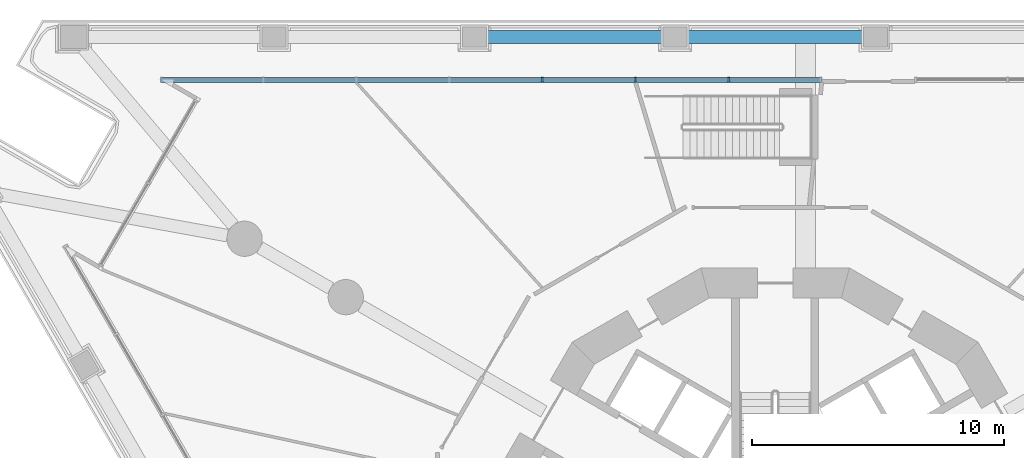
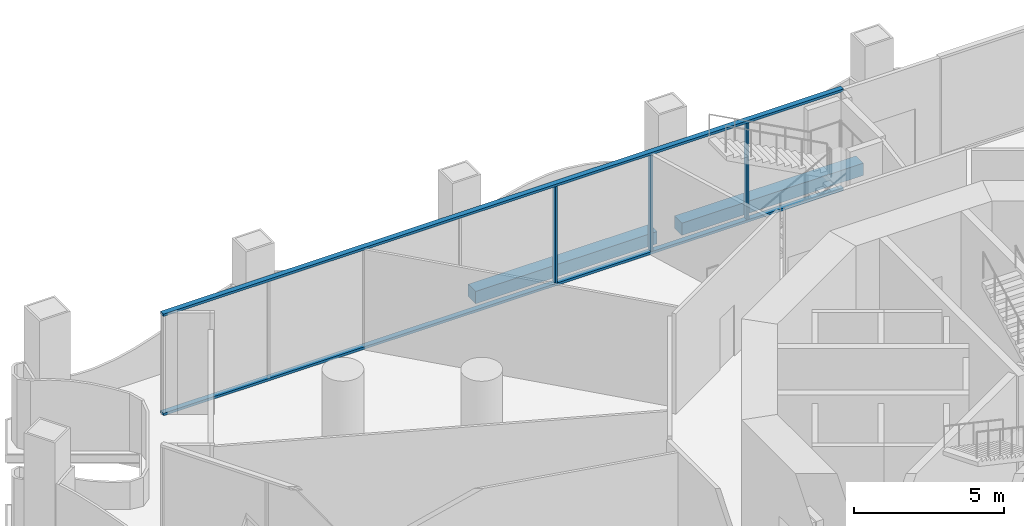
# One storey, part 6 of 21: 5 members, 2 beams, 1 element without a shape of its own.
"""IFC4 building model written with IfcOpenShell, lengths in metres."""

from ifc_helpers import new_model, si_unit, direction, frame, origin, origin_2d, place, context, subcontext, project, spatial, rectangle, extrude, material, layer, layer_set, material_profile, profile_set, type_object, element, aggregate, save


model = new_model("IFC4")

# Units and contexts
model_context = context("Model", 3, precision=1e-05, world=origin(), true_north=direction((0.0, 1.0)))
body_context = subcontext(model_context, "Body", "Model", "MODEL_VIEW")
ifc_project = project(units=[si_unit("LENGTHUNIT", "METRE"), si_unit("AREAUNIT", "SQUARE_METRE"), si_unit("VOLUMEUNIT", "CUBIC_METRE"), si_unit("PLANEANGLEUNIT", "RADIAN"), si_unit("MASSUNIT", "GRAM", prefix="KILO")], contexts=[model_context])

# Site, building, storey
site_placement = place(None, origin())
site = spatial("IfcSite", under=ifc_project, at=site_placement, CompositionType="ELEMENT")
building_placement = place(site_placement, origin())
building = spatial("IfcBuilding", under=site, at=building_placement, Name="Trine Commons Tower", CompositionType="ELEMENT")
storey_placement = place(building_placement, frame((0.0, 0.0, 9.0)))
storey = spatial("IfcBuildingStorey", under=building, at=storey_placement, Name="L01", CompositionType="ELEMENT", Elevation=9.0)

# Curtain wall, members
ifc_material_1 = material(Name="Podium glazing: anodised aluminium frame with low-emissivity double glazed unit", Category="aluminium")
ifc_layer = layer(ifc_material_1, 0.199951171875)
ifc_layer_set = layer_set([ifc_layer], Name="Podium glazing: anodised aluminium frame with low-emissivity double glazed unit")
curtain_wall_type = type_object("IfcCurtainWallType", Name="Podium glazing curtain wall CW3", PredefinedType="NOTDEFINED", material=ifc_layer_set)
curtain_wall_placement = place(storey_placement, origin())
curtain_wall = element("IfcCurtainWall", 1, at=curtain_wall_placement, inside=storey, type_object=curtain_wall_type, Name="Podium glazing L01 F1.1", PredefinedType="NOTDEFINED")
ifc_material_2 = material(Name="Anodised aluminium, bronze finish", Category="aluminium")
ifc_material_profile_1 = material_profile(ifc_material_2, rectangle(XDim=0.199951171875, YDim=0.074951171875, at=origin_2d()), Name="Mullion 75x200")
ifc_profile_set_1 = profile_set([ifc_material_profile_1], Name="Anodised aluminium, bronze finish")
member_type_1 = type_object("IfcMemberType", Name="Mullion 75x200, Anodised aluminium, bronze finish", PredefinedType="MULLION", material=ifc_profile_set_1)
member_1_placement = place(storey_placement, frame((70.75244140625, 80.984619140625, 0.10009765625), z_axis=(0.0, 0.0, 1.0), x_axis=(0.0, 1.0, 0.0)))
member_1 = element("IfcMember", 2, at=member_1_placement, type_object=member_type_1, Name="CW3 mullion 5.1", PredefinedType="MULLION", context=body_context, shape_type="SweptSolid", body=[
    extrude(rectangle(XDim=0.199951171875, YDim=0.074951171875, at=origin_2d()), origin(), (0.0, 0.0, 1.0), 3.949951171875),
])
member_2_placement = place(storey_placement, frame((74.451416015625, 80.984619140625, 0.10009765625), z_axis=(0.0, 0.0, 1.0), x_axis=(0.0, 1.0, 0.0)))
member_2 = element("IfcMember", 3, at=member_2_placement, type_object=member_type_1, Name="CW3 mullion 6.1", PredefinedType="MULLION", context=body_context, shape_type="SweptSolid", body=[
    extrude(rectangle(XDim=0.199951171875, YDim=0.074951171875, at=origin_2d()), origin(), (0.0, 0.0, 1.0), 3.949951171875),
])
member_3_placement = place(storey_placement, frame((78.150390625, 80.984619140625, 0.10009765625), z_axis=(0.0, 0.0, 1.0), x_axis=(0.0, 1.0, 0.0)))
member_3 = element("IfcMember", 4, at=member_3_placement, type_object=member_type_1, Name="CW3 mullion 7.1", PredefinedType="MULLION", context=body_context, shape_type="SweptSolid", body=[
    extrude(rectangle(XDim=0.199951171875, YDim=0.074951171875, at=origin_2d()), origin(), (0.0, 0.0, 1.0), 3.949951171875),
])

# Beams
ifc_material_3 = material(Name="Concrete C50/60", Category="concrete")
ifc_material_profile_2 = material_profile(ifc_material_3, rectangle(XDim=0.5, YDim=0.5, at=origin_2d()), Name="RC 500x500")
ifc_profile_set_2 = profile_set([ifc_material_profile_2], Name="Concrete C50/60")
beam_type = type_object("IfcBeamType", Name="RC beam 500x500, C50/60", PredefinedType="BEAM", material=ifc_profile_set_2)
beam_1_placement = place(storey_placement, frame((68.52978515625, 82.6845703125, -0.64990234375), z_axis=(1.0, 0.0, 0.0), x_axis=(0.0, 1.0, 0.0)))
element("IfcBeam", 5, at=beam_1_placement, inside=storey, type_object=beam_type, Name="Beam EB1-10 L01", PredefinedType="BEAM", context=body_context, shape_type="SweptSolid", body=[
    extrude(rectangle(XDim=0.5, YDim=0.5, at=origin_2d()), origin(), (0.0, 0.0, 1.0), 7.013427734375),
])
beam_2_placement = place(storey_placement, frame((76.493408203125, 82.6845703125, -0.64990234375), z_axis=(1.0, 0.0, 0.0), x_axis=(0.0, 1.0, 0.0)))
element("IfcBeam", 6, at=beam_2_placement, inside=storey, type_object=beam_type, Name="Beam EB1-11 L01", PredefinedType="BEAM", context=body_context, shape_type="SweptSolid", body=[
    extrude(rectangle(XDim=0.5, YDim=0.5, at=origin_2d()), origin(), (0.0, 0.0, 1.0), 7.01318359375),
])

# Member
ifc_material_profile_3 = material_profile(ifc_material_2, rectangle(XDim=0.199951171875, YDim=0.10009765625, at=origin_2d()), Name="Transom 100x200")
ifc_profile_set_3 = profile_set([ifc_material_profile_3], Name="Anodised aluminium, bronze finish")
member_type_2 = type_object("IfcMemberType", Name="Transom 100x200, Anodised aluminium, bronze finish", PredefinedType="USERDEFINED", material=ifc_profile_set_3)
member_4_placement = place(storey_placement, frame((55.583740234375, 80.984619140625, 0.050048828125), z_axis=(1.0, 0.0, 0.0), x_axis=(0.0, 1.0, 0.0)))
member_4 = element("IfcMember", 7, at=member_4_placement, type_object=member_type_2, Name="CW3 transom T00", ObjectType="TRANSOM", PredefinedType="USERDEFINED", context=body_context, shape_type="SweptSolid", body=[
    extrude(rectangle(XDim=0.199951171875, YDim=0.10009765625, at=origin_2d()), origin(), (0.0, 0.0, 1.0), 26.265380859375),
])

member_5_placement = place(storey_placement, frame((55.583740234375, 80.984619140625, 4.10009765625), z_axis=(1.0, 0.0, 0.0), x_axis=(0.0, 1.0, 0.0)))
member_5 = element("IfcMember", 8, at=member_5_placement, type_object=member_type_2, Name="CW3 transom TH00", ObjectType="TRANSOM", PredefinedType="USERDEFINED", context=body_context, shape_type="SweptSolid", body=[
    extrude(rectangle(XDim=0.199951171875, YDim=0.10009765625, at=origin_2d()), origin(), (0.0, 0.0, 1.0), 26.265380859375),
])

aggregate(curtain_wall, [member_4, member_5, member_1, member_2, member_3])

save(model, "model.ifc")
